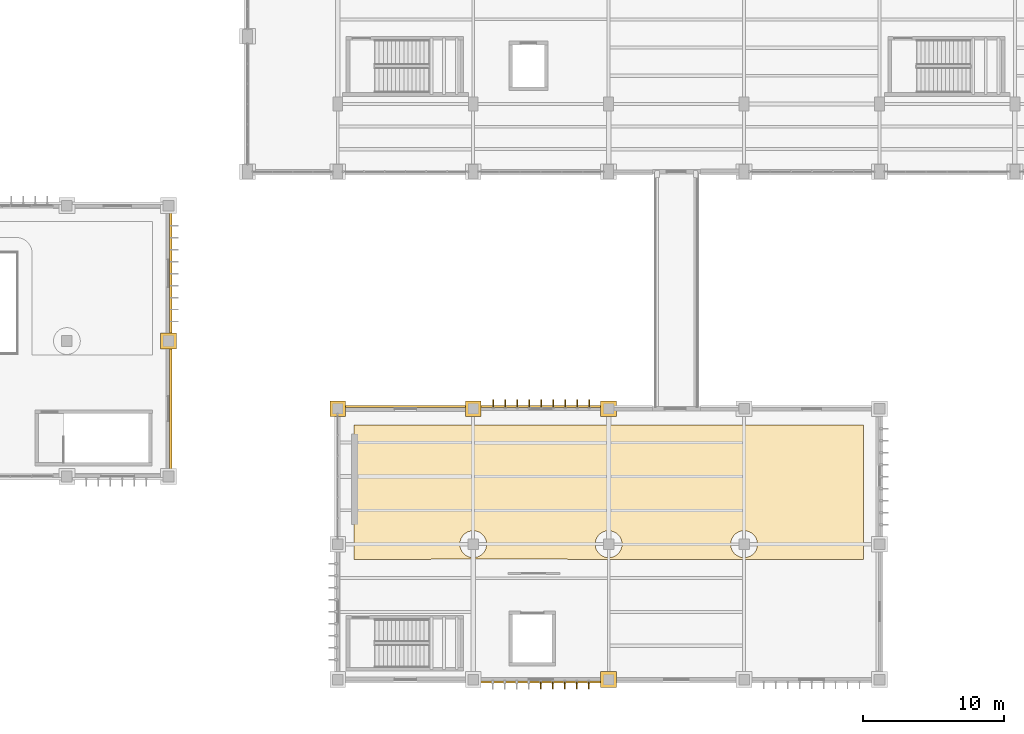
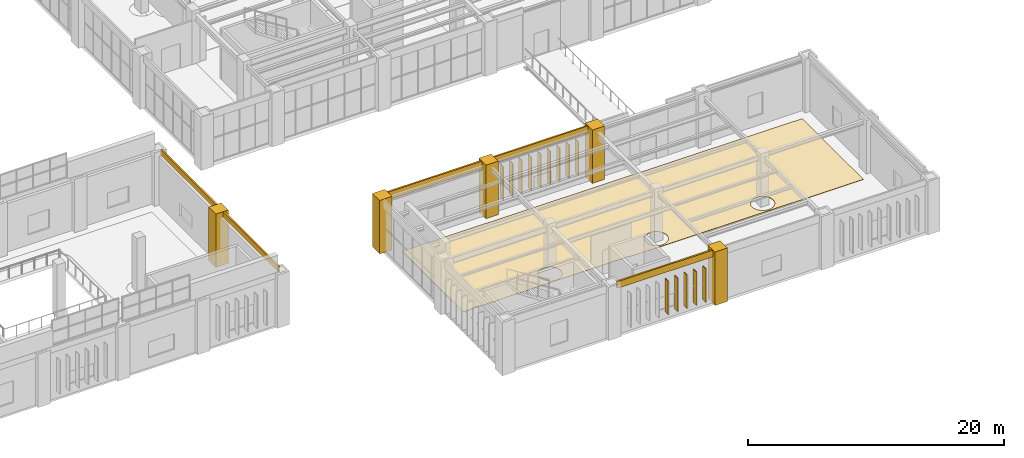
# One storey, part 161 of 174: 14 shading devices, 11 coverings.
"""IFC4 building model written with IfcOpenShell, lengths in metres."""

from ifc_helpers import new_model, si_unit, direction, frame, origin, origin_2d, place, context, subcontext, project, spatial, polyline, rectangle, outline, extrude, material, layer, layer_set, type_object, element, save


model = new_model("IFC4")

# Units and contexts
model_context = context("Model", 3, precision=1e-05, world=origin(), true_north=direction((0.0, 1.0)))
body_context = subcontext(model_context, "Body", "Model", "MODEL_VIEW")
ifc_project = project(units=[si_unit("LENGTHUNIT", "METRE"), si_unit("AREAUNIT", "SQUARE_METRE"), si_unit("VOLUMEUNIT", "CUBIC_METRE"), si_unit("PLANEANGLEUNIT", "RADIAN"), si_unit("MASSUNIT", "GRAM", prefix="KILO")], contexts=[model_context])

# Site, building, storey
site_placement = place(None, origin())
site = spatial("IfcSite", under=ifc_project, at=site_placement, CompositionType="ELEMENT")
building_placement = place(site_placement, origin())
building = spatial("IfcBuilding", under=site, at=building_placement, Name="Mavantir Sound Aquarium", CompositionType="ELEMENT")
storey_placement = place(building_placement, frame((0.0, 0.0, 5.39990234375)))
storey = spatial("IfcBuildingStorey", under=building, at=storey_placement, Name="L01", CompositionType="ELEMENT", Elevation=5.39990234375)

# Coverings
ifc_material_1 = material(Name="Honed Coral-Limestone & Glazed Terracotta Rainscreen Cladding", Category="masonry")
ifc_layer_1 = layer(ifc_material_1, 0.06005859375, Name="Honed Coral-Limestone & Glazed Terracotta Rainscreen Cladding")
ifc_layer_set_1 = layer_set([ifc_layer_1], Name="Honed Coral-Limestone & Glazed Terracotta Rainscreen Cladding")
covering_type_1 = type_object("IfcCoveringType", Name="COV-CLAD-TC", PredefinedType="CLADDING", material=ifc_layer_set_1)
covering_1_placement = place(storey_placement, frame((0.0, 0.0, 4.463134765625)))
element("IfcCovering", 1, at=covering_1_placement, inside=storey, type_object=covering_type_1, Name="L01 Postmodern coral-limestone spandrel frieze 265", PredefinedType="CLADDING", context=body_context, shape_type="SweptSolid", body=[
    extrude(outline(polyline([(126.81689453125, 19.2900390625), (117.98291015625, 19.2900390625), (117.98291015625, 19.43994140625), (126.81689453125, 19.43994140625), (126.81689453125, 19.2900390625)])), origin(), (0.0, 0.0, 1.0), 0.636962890625),
])
covering_2_placement = place(storey_placement, frame((0.0, 0.0, 4.358154296875)))
element("IfcCovering", 2, at=covering_2_placement, inside=storey, type_object=covering_type_1, Name="L01 Postmodern coral-limestone spandrel frieze 266", PredefinedType="CLADDING", context=body_context, shape_type="SweptSolid", body=[
    extrude(outline(polyline([(117.217041015625, 19.2900390625), (108.383056640625, 19.2900390625), (108.383056640625, 19.43994140625), (117.217041015625, 19.43994140625), (117.217041015625, 19.2900390625)])), origin(), (0.0, 0.0, 1.0), 0.741943359375),
])
covering_3_placement = place(storey_placement, frame((0.0, 0.0, 4.463134765625)))
element("IfcCovering", 3, at=covering_3_placement, inside=storey, type_object=covering_type_1, Name="L01 Postmodern coral-limestone spandrel frieze 270", PredefinedType="CLADDING", context=body_context, shape_type="SweptSolid", body=[
    extrude(outline(polyline([(117.98291015625, -0.090087890625), (126.81689453125, -0.090087890625), (126.81689453125, -0.239990234375), (117.98291015625, -0.239990234375), (117.98291015625, -0.090087890625)])), origin(), (0.0, 0.0, 1.0), 0.636962890625),
])
covering_4_placement = place(storey_placement, frame((0.0, 0.0, 4.5556640625)))
element("IfcCovering", 4, at=covering_4_placement, inside=storey, type_object=covering_type_1, Name="L01 Postmodern coral-limestone spandrel frieze 273", PredefinedType="CLADDING", context=body_context, shape_type="SweptSolid", body=[
    extrude(outline(polyline([(96.090087890625, 14.782958984375), (96.090087890625, 23.616943359375), (96.239990234375, 23.616943359375), (96.239990234375, 14.782958984375), (96.090087890625, 14.782958984375)])), origin(), (0.0, 0.0, 1.0), 0.54443359375),
])
covering_5_placement = place(storey_placement, frame((0.0, 0.0, 4.5556640625)))
element("IfcCovering", 5, at=covering_5_placement, inside=storey, type_object=covering_type_1, Name="L01 Postmodern coral-limestone spandrel frieze 274", PredefinedType="CLADDING", context=body_context, shape_type="SweptSolid", body=[
    extrude(outline(polyline([(96.090087890625, 24.383056640625), (96.090087890625, 33.217041015625), (96.239990234375, 33.217041015625), (96.239990234375, 24.383056640625), (96.090087890625, 24.383056640625)])), origin(), (0.0, 0.0, 1.0), 0.54443359375),
])
covering_6_placement = place(storey_placement, origin())
element("IfcCovering", 6, at=covering_6_placement, inside=storey, type_object=covering_type_1, Name="L01 Postmodern coral-limestone pilaster casing 426", PredefinedType="CLADDING", context=body_context, shape_type="SweptSolid", body=[
    extrude(outline(polyline([(107.43994140625, 18.639892578125), (108.56005859375, 18.639892578125), (108.56005859375, 19.760009765625), (107.43994140625, 19.760009765625), (107.43994140625, 18.639892578125)])), origin(), (0.0, 0.0, 1.0), 5.10009765625),
])
covering_7_placement = place(storey_placement, origin())
element("IfcCovering", 7, at=covering_7_placement, inside=storey, type_object=covering_type_1, Name="L01 Postmodern coral-limestone pilaster casing 434", PredefinedType="CLADDING", context=body_context, shape_type="SweptSolid", body=[
    extrude(outline(polyline([(117.0400390625, 18.639892578125), (118.159912109375, 18.639892578125), (118.159912109375, 19.760009765625), (117.0400390625, 19.760009765625), (117.0400390625, 18.639892578125)])), origin(), (0.0, 0.0, 1.0), 5.10009765625),
])
covering_8_placement = place(storey_placement, origin())
element("IfcCovering", 8, at=covering_8_placement, inside=storey, type_object=covering_type_1, Name="L01 Postmodern coral-limestone pilaster casing 439", PredefinedType="CLADDING", context=body_context, shape_type="SweptSolid", body=[
    extrude(outline(polyline([(126.639892578125, -0.56005859375), (127.760009765625, -0.56005859375), (127.760009765625, 0.56005859375), (126.639892578125, 0.56005859375), (126.639892578125, -0.56005859375)])), origin(), (0.0, 0.0, 1.0), 5.10009765625),
])
covering_9_placement = place(storey_placement, origin())
element("IfcCovering", 9, at=covering_9_placement, inside=storey, type_object=covering_type_1, Name="L01 Postmodern coral-limestone pilaster casing 443", PredefinedType="CLADDING", context=body_context, shape_type="SweptSolid", body=[
    extrude(outline(polyline([(126.639892578125, 18.639892578125), (127.760009765625, 18.639892578125), (127.760009765625, 19.760009765625), (126.639892578125, 19.760009765625), (126.639892578125, 18.639892578125)])), origin(), (0.0, 0.0, 1.0), 5.10009765625),
])
covering_10_placement = place(storey_placement, origin())
element("IfcCovering", 10, at=covering_10_placement, inside=storey, type_object=covering_type_1, Name="L01 Postmodern coral-limestone pilaster casing 488", PredefinedType="CLADDING", context=body_context, shape_type="SweptSolid", body=[
    extrude(outline(polyline([(95.43994140625, 23.43994140625), (96.56005859375, 23.43994140625), (96.56005859375, 24.56005859375), (95.43994140625, 24.56005859375), (95.43994140625, 23.43994140625)])), origin(), (0.0, 0.0, 1.0), 5.10009765625),
])
ifc_material_2 = material(Name="Marine Epoxy Recycled-Shell Terrazzo Flooring")
ifc_layer_2 = layer(ifc_material_2, 0.030029296875, Name="Marine Epoxy Recycled-Shell Terrazzo Flooring")
ifc_layer_set_2 = layer_set([ifc_layer_2], Name="Marine Epoxy Recycled-Shell Terrazzo Flooring")
covering_type_2 = type_object("IfcCoveringType", Name="COV-FLR-TZ", PredefinedType="FLOORING", material=ifc_layer_set_2)
covering_11_placement = place(storey_placement, origin())
element("IfcCovering", 11, at=covering_11_placement, inside=storey, type_object=covering_type_2, Name="L01 Secondary Marine Quarantine Acclimatization Hall terrazzo flooring", PredefinedType="FLOORING", context=body_context, shape_type="SweptSolid", body=[
    extrude(outline(polyline([(145.260009765625, 18.06005859375), (145.260009765625, 8.5), (124.3828125, 8.5), (124.375732421875, 8.5029296875), (124.3701171875, 8.5048828125), (124.281982421875, 8.531494140625), (124.2763671875, 8.53271484375), (124.19970703125, 8.548095703125), (124.19384765625, 8.549072265625), (124.1015625, 8.55859375), (124.095703125, 8.558837890625), (124.050048828125, 8.56005859375), (119.949951171875, 8.56005859375), (119.9453125, 8.56005859375), (109.139892578125, 8.504638671875), (109.139892578125, 18.06005859375), (145.260009765625, 18.06005859375)]), holes=[polyline([(127.934326171875, 8.997314453125), (127.989990234375, 9.072265625), (128.037841796875, 9.152099609375), (128.07763671875, 9.236572265625), (128.109130859375, 9.32421875), (128.131591796875, 9.414794921875), (128.1455078125, 9.5068359375), (128.14990234375, 9.60009765625), (128.1455078125, 9.693115234375), (128.131591796875, 9.785400390625), (128.109130859375, 9.875732421875), (128.07763671875, 9.96337890625), (128.037841796875, 10.0478515625), (127.989990234375, 10.127685546875), (127.934326171875, 10.20263671875), (127.871826171875, 10.271728515625), (127.802734375, 10.33447265625), (127.727783203125, 10.389892578125), (127.647705078125, 10.437744140625), (127.5634765625, 10.477783203125), (127.475830078125, 10.509033203125), (127.38525390625, 10.53173828125), (127.293212890625, 10.54541015625), (127.199951171875, 10.550048828125), (127.10693359375, 10.54541015625), (127.0146484375, 10.53173828125), (126.92431640625, 10.509033203125), (126.83642578125, 10.477783203125), (126.752197265625, 10.437744140625), (126.672119140625, 10.389892578125), (126.597412109375, 10.33447265625), (126.5283203125, 10.271728515625), (126.465576171875, 10.20263671875), (126.41015625, 10.127685546875), (126.3623046875, 10.0478515625), (126.322265625, 9.96337890625), (126.291015625, 9.875732421875), (126.268310546875, 9.785400390625), (126.254638671875, 9.693115234375), (126.25, 9.60009765625), (126.254638671875, 9.5068359375), (126.268310546875, 9.414794921875), (126.291015625, 9.32421875), (126.322265625, 9.236572265625), (126.3623046875, 9.152099609375), (126.41015625, 9.072265625), (126.465576171875, 8.997314453125), (126.5283203125, 8.92822265625), (126.597412109375, 8.865478515625), (126.672119140625, 8.81005859375), (126.752197265625, 8.76220703125), (126.83642578125, 8.722412109375), (126.92431640625, 8.69091796875), (127.0146484375, 8.668212890625), (127.10693359375, 8.654541015625), (127.199951171875, 8.64990234375), (127.293212890625, 8.654541015625), (127.38525390625, 8.668212890625), (127.475830078125, 8.69091796875), (127.5634765625, 8.722412109375), (127.647705078125, 8.76220703125), (127.727783203125, 8.81005859375), (127.802734375, 8.865478515625), (127.871826171875, 8.92822265625), (127.934326171875, 8.997314453125)]), polyline([(118.33447265625, 8.997314453125), (118.389892578125, 9.072265625), (118.437744140625, 9.152099609375), (118.477783203125, 9.236572265625), (118.509033203125, 9.32421875), (118.53173828125, 9.414794921875), (118.54541015625, 9.5068359375), (118.550048828125, 9.60009765625), (118.54541015625, 9.693115234375), (118.53173828125, 9.785400390625), (118.509033203125, 9.875732421875), (118.477783203125, 9.96337890625), (118.437744140625, 10.0478515625), (118.389892578125, 10.127685546875), (118.33447265625, 10.20263671875), (118.271728515625, 10.271728515625), (118.20263671875, 10.33447265625), (118.127685546875, 10.389892578125), (118.0478515625, 10.437744140625), (117.96337890625, 10.477783203125), (117.875732421875, 10.509033203125), (117.785400390625, 10.53173828125), (117.693115234375, 10.54541015625), (117.60009765625, 10.550048828125), (117.5068359375, 10.54541015625), (117.414794921875, 10.53173828125), (117.32421875, 10.509033203125), (117.236572265625, 10.477783203125), (117.152099609375, 10.437744140625), (117.072265625, 10.389892578125), (116.997314453125, 10.33447265625), (116.92822265625, 10.271728515625), (116.865478515625, 10.20263671875), (116.81005859375, 10.127685546875), (116.76220703125, 10.0478515625), (116.722412109375, 9.96337890625), (116.69091796875, 9.875732421875), (116.668212890625, 9.785400390625), (116.654541015625, 9.693115234375), (116.64990234375, 9.60009765625), (116.654541015625, 9.5068359375), (116.668212890625, 9.414794921875), (116.69091796875, 9.32421875), (116.722412109375, 9.236572265625), (116.76220703125, 9.152099609375), (116.81005859375, 9.072265625), (116.865478515625, 8.997314453125), (116.92822265625, 8.92822265625), (116.997314453125, 8.865478515625), (117.072265625, 8.81005859375), (117.152099609375, 8.76220703125), (117.236572265625, 8.722412109375), (117.32421875, 8.69091796875), (117.414794921875, 8.668212890625), (117.5068359375, 8.654541015625), (117.60009765625, 8.64990234375), (117.693115234375, 8.654541015625), (117.785400390625, 8.668212890625), (117.875732421875, 8.69091796875), (117.96337890625, 8.722412109375), (118.0478515625, 8.76220703125), (118.127685546875, 8.81005859375), (118.20263671875, 8.865478515625), (118.271728515625, 8.92822265625), (118.33447265625, 8.997314453125)]), polyline([(137.58984375, 9.072265625), (137.6376953125, 9.152099609375), (137.677734375, 9.236572265625), (137.708984375, 9.32421875), (137.731689453125, 9.414794921875), (137.745361328125, 9.5068359375), (137.75, 9.60009765625), (137.745361328125, 9.693115234375), (137.731689453125, 9.785400390625), (137.708984375, 9.875732421875), (137.677734375, 9.96337890625), (137.6376953125, 10.0478515625), (137.58984375, 10.127685546875), (137.534423828125, 10.20263671875), (137.4716796875, 10.271728515625), (137.402587890625, 10.33447265625), (137.327880859375, 10.389892578125), (137.247802734375, 10.437744140625), (137.16357421875, 10.477783203125), (137.07568359375, 10.509033203125), (136.9853515625, 10.53173828125), (136.89306640625, 10.54541015625), (136.800048828125, 10.550048828125), (136.706787109375, 10.54541015625), (136.61474609375, 10.53173828125), (136.524169921875, 10.509033203125), (136.4365234375, 10.477783203125), (136.352294921875, 10.437744140625), (136.272216796875, 10.389892578125), (136.197265625, 10.33447265625), (136.128173828125, 10.271728515625), (136.065673828125, 10.20263671875), (136.010009765625, 10.127685546875), (135.962158203125, 10.0478515625), (135.92236328125, 9.96337890625), (135.890869140625, 9.875732421875), (135.868408203125, 9.785400390625), (135.8544921875, 9.693115234375), (135.85009765625, 9.60009765625), (135.8544921875, 9.5068359375), (135.868408203125, 9.414794921875), (135.890869140625, 9.32421875), (135.92236328125, 9.236572265625), (135.962158203125, 9.152099609375), (136.010009765625, 9.072265625), (136.065673828125, 8.997314453125), (136.128173828125, 8.92822265625), (136.197265625, 8.865478515625), (136.272216796875, 8.81005859375), (136.352294921875, 8.76220703125), (136.4365234375, 8.722412109375), (136.524169921875, 8.69091796875), (136.61474609375, 8.668212890625), (136.706787109375, 8.654541015625), (136.800048828125, 8.64990234375), (136.89306640625, 8.654541015625), (136.9853515625, 8.668212890625), (137.07568359375, 8.69091796875), (137.16357421875, 8.722412109375), (137.247802734375, 8.76220703125), (137.327880859375, 8.81005859375), (137.402587890625, 8.865478515625), (137.4716796875, 8.92822265625), (137.534423828125, 8.997314453125), (137.58984375, 9.072265625)])]), origin(), (0.0, 0.0, 1.0), 0.030029296875),
])

# Shading devices
ifc_material_3 = material(Name="Anodised Terracotta-Finish Aluminium Brise-Soleil", Category="masonry")
shading_device_type = type_object("IfcShadingDeviceType", Name="SHD-FIN-520", PredefinedType="JALOUSIE", material=ifc_material_3)
for number, where, z_axis, x_axis, name in (
    (12, (125.81689453125, 19.574951171875, 0.65673828125), (0.0, 0.0, 1.0), (1.0, 0.0, 0.0), "Tropical solar brise-soleil fin 38"),
    (13, (124.967041015625, 19.574951171875, 0.65673828125), (0.0, 0.0, 1.0), (1.0, 0.0, 0.0), "Tropical solar brise-soleil fin 39"),
    (14, (124.116943359375, 19.574951171875, 0.65673828125), (0.0, 0.0, 1.0), (1.0, 0.0, 0.0), "Tropical solar brise-soleil fin 40"),
    (15, (123.26708984375, 19.574951171875, 0.65673828125), (0.0, 0.0, 1.0), (1.0, 0.0, 0.0), "Tropical solar brise-soleil fin 41"),
    (16, (122.4169921875, 19.574951171875, 0.65673828125), (0.0, 0.0, 1.0), (1.0, 0.0, 0.0), "Tropical solar brise-soleil fin 42"),
    (17, (121.56689453125, 19.574951171875, 0.65673828125), (0.0, 0.0, 1.0), (1.0, 0.0, 0.0), "Tropical solar brise-soleil fin 43"),
    (18, (120.717041015625, 19.574951171875, 0.65673828125), (0.0, 0.0, 1.0), (1.0, 0.0, 0.0), "Tropical solar brise-soleil fin 44"),
    (19, (119.866943359375, 19.574951171875, 0.65673828125), (0.0, 0.0, 1.0), (1.0, 0.0, 0.0), "Tropical solar brise-soleil fin 45"),
    (20, (119.01708984375, 19.574951171875, 0.65673828125), (0.0, 0.0, 1.0), (1.0, 0.0, 0.0), "Tropical solar brise-soleil fin 46"),
    (21, (122.383056640625, -0.39501953125, 0.65673828125), (0.0, 0.0, 1.0), (-1.0, 0.0, 0.0), "Tropical solar brise-soleil fin 60"),
    (22, (123.23291015625, -0.39501953125, 0.65673828125), (0.0, 0.0, 1.0), (-1.0, 0.0, 0.0), "Tropical solar brise-soleil fin 61"),
    (23, (124.0830078125, -0.39501953125, 0.65673828125), (0.0, 0.0, 1.0), (-1.0, 0.0, 0.0), "Tropical solar brise-soleil fin 62"),
    (24, (124.93310546875, -0.39501953125, 0.65673828125), (0.0, 0.0, 1.0), (-1.0, 0.0, 0.0), "Tropical solar brise-soleil fin 63"),
    (25, (125.782958984375, -0.39501953125, 0.65673828125), (0.0, 0.0, 1.0), (-1.0, 0.0, 0.0), "Tropical solar brise-soleil fin 64"),
):
    element("IfcShadingDevice", number, at=place(storey_placement, frame(where, z_axis=z_axis, x_axis=x_axis)), inside=storey, type_object=shading_device_type, Name=name, PredefinedType="JALOUSIE", context=body_context, shape_type="SweptSolid", body=[
        extrude(rectangle(XDim=0.06494140625, YDim=0.52001953125, at=origin_2d()), origin(), (0.0, 0.0, 1.0), 3.199951171875),
    ])

save(model, "model.ifc")
